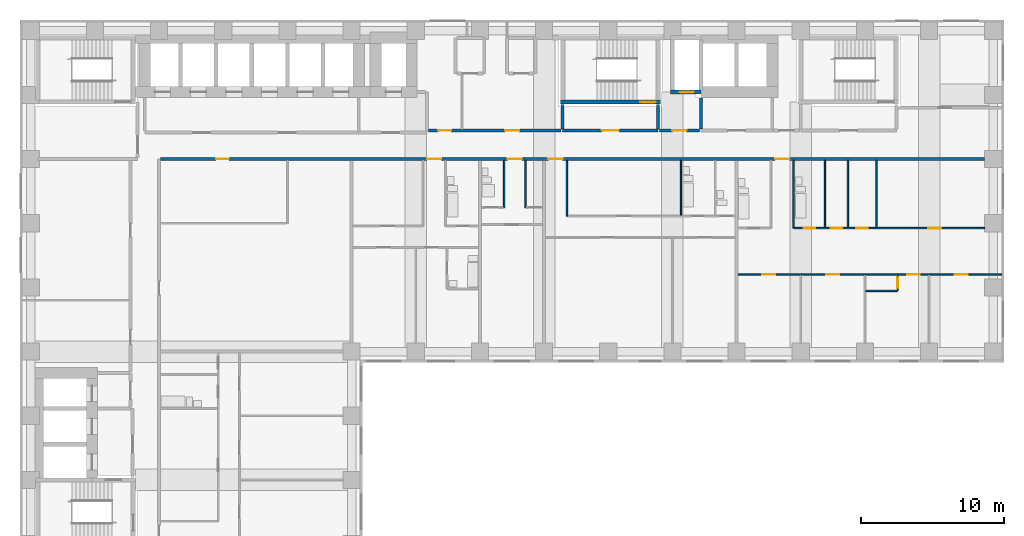
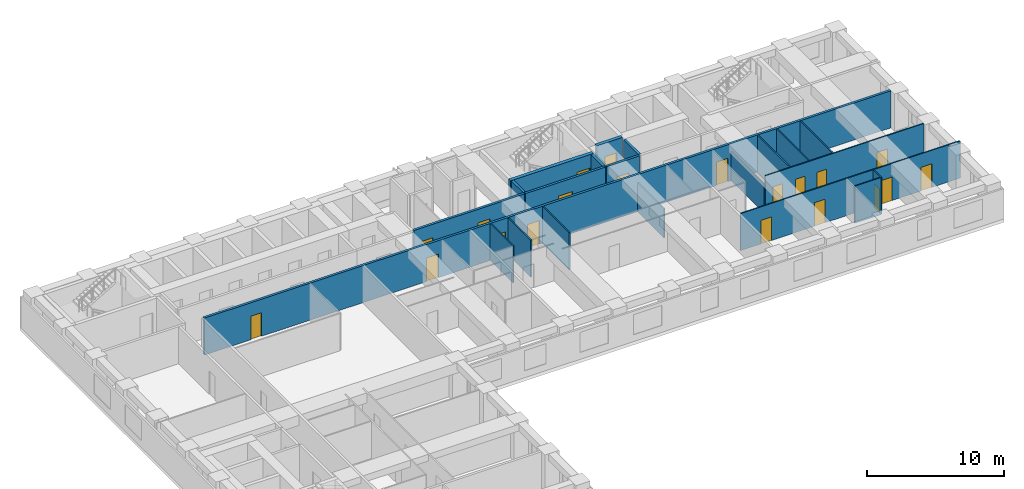
# One storey, part 7 of 11: 21 walls, 20 doors, 20 openings.
"""IFC4 building model written with IfcOpenShell, lengths in metres."""

from ifc_helpers import new_model, si_unit, direction, frame, frame_2d, origin, place, context, subcontext, project, spatial, rectangle, extrude, material, layer, layer_set, type_object, element, fill, save


model = new_model("IFC4")

# Units and contexts
model_context = context("Model", 3, precision=1e-05, world=origin(), true_north=direction((0.0, 1.0)))
body_context = subcontext(model_context, "Body", "Model", "MODEL_VIEW")
ifc_project = project(units=[si_unit("LENGTHUNIT", "METRE"), si_unit("AREAUNIT", "SQUARE_METRE"), si_unit("VOLUMEUNIT", "CUBIC_METRE"), si_unit("PLANEANGLEUNIT", "RADIAN"), si_unit("MASSUNIT", "GRAM", prefix="KILO")], contexts=[model_context])

# Site, building, storey
site_placement = place(None, origin())
site = spatial("IfcSite", under=ifc_project, at=site_placement, CompositionType="ELEMENT")
building_placement = place(site_placement, origin())
building = spatial("IfcBuilding", under=site, at=building_placement, Name="Firuza Court", CompositionType="ELEMENT")
storey_placement = place(building_placement, frame((0.0, 0.0, 79.39990234375)))
storey = spatial("IfcBuildingStorey", under=building, at=storey_placement, Name="L19", CompositionType="ELEMENT", Elevation=79.39990234375)

# Wall
ifc_material_1 = material(Name="Moisture-resistant gypsum board partition")
ifc_layer_1 = layer(ifc_material_1, 0.10009765625)
ifc_layer_set_1 = layer_set([ifc_layer_1], Name="Moisture-resistant gypsum board partition")
wall_type_1 = type_object("IfcWallType", Name="Bathroom partition 100", PredefinedType="PLUMBINGWALL", material=ifc_layer_set_1)
wall_1_placement = place(storey_placement, frame((58.550048828125, 40.25, 0.0), z_axis=(0.0, 0.0, 1.0), x_axis=(1.0, 0.0, 0.0)))
element("IfcWall", 1, at=wall_1_placement, inside=storey, type_object=wall_type_1, Name="Bathroom partition 100 L19", PredefinedType="PLUMBINGWALL", context=body_context, shape_type="SweptSolid", body=[
    extrude(rectangle(XDim=2.199951171875, YDim=0.10009765625, at=frame_2d((1.10009765625, 0.0))), origin(), (0.0, 0.0, 1.0), 3.300048828125),
])

# Wall, opening, door
wall_2_placement = place(storey_placement, frame((60.800048828125, 40.25, 0.0), z_axis=(0.0, 0.0, 1.0), x_axis=(0.0, 1.0, 0.0)))
wall_2 = element("IfcWall", 2, at=wall_2_placement, inside=storey, type_object=wall_type_1, Name="Bathroom partition 100 L19", PredefinedType="PLUMBINGWALL", context=body_context, shape_type="SweptSolid", body=[
    extrude(rectangle(XDim=1.10009765625, YDim=0.10009765625, at=frame_2d((0.550048828125, 0.0))), origin(), (0.0, 0.0, 1.0), 3.300048828125),
])
opening_1_placement = place(wall_2_placement, frame((0.199951171875, 0.0, 0.0)))
opening_1 = element("IfcOpeningElement", 3, at=opening_1_placement, cuts=wall_2, Name="Opening D19043", PredefinedType="OPENING", context=body_context, shape_type="SweptSolid", body=[
    extrude(rectangle(XDim=0.800048828125, YDim=2.10009765625, at=frame_2d((0.39990234375, 1.050048828125))), frame((0.0, 0.06201171875, 0.0), z_axis=(0.0, -1.0, 0.0), x_axis=(1.0, 0.0, 0.0)), (0.0, 0.0, 1.0), 0.1240234375),
])
ifc_material_2 = material(Name="Timber door leaf in hardwood frame", Category="wood")
door_type_1 = type_object("IfcDoorType", Name="Bathroom door 800", OperationType="SINGLE_SWING_LEFT", PredefinedType="DOOR", material=ifc_material_2)
door_1_placement = place(opening_1_placement, origin())
door_1 = element("IfcDoor", 4, at=door_1_placement, inside=storey, type_object=door_type_1, Name="En-suite door", OperationType="SINGLE_SWING_RIGHT", OverallHeight=2.10009765625, OverallWidth=0.800048828125, PredefinedType="DOOR", context=body_context, shape_type="SweptSolid", body=[
    extrude(rectangle(XDim=0.800048828125, YDim=2.10009765625, at=frame_2d((0.39990234375, 1.050048828125))), frame((0.0, 0.02490234375, 0.0), z_axis=(0.0, -1.0, 0.0), x_axis=(1.0, 0.0, 0.0)), (0.0, 0.0, 1.0), 0.050048828125),
])
fill(opening_1, door_1)

# Walls
wall_3_placement = place(storey_placement, frame((53.5, 44.64990234375, 0.0), z_axis=(0.0, 0.0, 1.0), x_axis=(0.0, 1.0, 0.0)))
element("IfcWall", 5, at=wall_3_placement, inside=storey, type_object=wall_type_1, Name="Bathroom partition 100 L19", PredefinedType="PLUMBINGWALL", context=body_context, shape_type="SweptSolid", body=[
    extrude(rectangle(XDim=4.75, YDim=0.10009765625, at=frame_2d((2.375, 0.0))), origin(), (0.0, 0.0, 1.0), 2.60009765625),
])
wall_4_placement = place(storey_placement, frame((55.699951171875, 44.699951171875, 0.0), z_axis=(0.0, 0.0, 1.0), x_axis=(0.0, 1.0, 0.0)))
element("IfcWall", 6, at=wall_4_placement, inside=storey, type_object=wall_type_1, Name="Bathroom partition 100 L19", PredefinedType="PLUMBINGWALL", context=body_context, shape_type="SweptSolid", body=[
    extrude(rectangle(XDim=4.699951171875, YDim=0.10009765625, at=frame_2d((2.35009765625, 0.0))), origin(), (0.0, 0.0, 1.0), 3.300048828125),
])
wall_5_placement = place(storey_placement, frame((45.60009765625, 45.550048828125, 0.0), z_axis=(0.0, 0.0, 1.0), x_axis=(0.0, 1.0, 0.0)))
element("IfcWall", 7, at=wall_5_placement, inside=storey, type_object=wall_type_1, Name="Bathroom partition 100 L19", PredefinedType="PLUMBINGWALL", context=body_context, shape_type="SweptSolid", body=[
    extrude(rectangle(XDim=3.849853515625, YDim=0.10009765625, at=frame_2d((1.9248046875, 0.0))), origin(), (0.0, 0.0, 1.0), 2.60009765625),
])
wall_6_placement = place(storey_placement, frame((33.199951171875, 46.10009765625, 0.0), z_axis=(0.0, 0.0, 1.0), x_axis=(0.0, 1.0, 0.0)))
element("IfcWall", 8, at=wall_6_placement, inside=storey, type_object=wall_type_1, Name="Bathroom partition 100 L19", PredefinedType="PLUMBINGWALL", context=body_context, shape_type="SweptSolid", body=[
    extrude(rectangle(XDim=3.2998046875, YDim=0.10009765625, at=frame_2d((1.64990234375, 0.0))), origin(), (0.0, 0.0, 1.0), 3.300048828125),
])

# Wall, opening, door
ifc_material_3 = material(Name="Concrete C60/75", Category="concrete")
ifc_layer_2 = layer(ifc_material_3, 0.300048828125)
ifc_layer_set_2 = layer_set([ifc_layer_2], Name="Concrete C60/75")
wall_type_2 = type_object("IfcWallType", Name="Core wall 300 C60/75", PredefinedType="SHEAR", material=ifc_layer_set_2)
wall_7_placement = place(storey_placement, frame((37.14990234375, 53.5, -0.2998046875), z_axis=(0.0, 0.0, 1.0), x_axis=(1.0, 0.0, 0.0)))
wall_7 = element("IfcWall", 9, at=wall_7_placement, inside=storey, type_object=wall_type_2, Name="Core wall stair L19", PredefinedType="SHEAR", context=body_context, shape_type="SweptSolid", body=[
    extrude(rectangle(XDim=7.0, YDim=0.300048828125, at=frame_2d((3.5, 0.0))), origin(), (0.0, 0.0, 1.0), 3.599853515625),
])
opening_2_placement = place(wall_7_placement, frame((5.580078125, 0.0, 0.300048828125)))
opening_2 = element("IfcOpeningElement", 10, at=opening_2_placement, cuts=wall_7, Name="Opening D19013", PredefinedType="OPENING", context=body_context, shape_type="SweptSolid", body=[
    extrude(rectangle(XDim=1.10009765625, YDim=2.10009765625, at=frame_2d((0.550048828125, 1.050048828125))), frame((0.0, 0.162109375, 0.0), z_axis=(0.0, -1.0, 0.0), x_axis=(1.0, 0.0, 0.0)), (0.0, 0.0, 1.0), 0.323974609375),
])
ifc_material_4 = material(Name="Timber door leaf in hardwood frame", Category="wood")
door_type_2 = type_object("IfcDoorType", Name="Stair door 1100", OperationType="SINGLE_SWING_LEFT", PredefinedType="DOOR", material=ifc_material_4)
door_2_placement = place(opening_2_placement, origin())
door_2 = element("IfcDoor", 11, at=door_2_placement, inside=storey, type_object=door_type_2, Name="Stair door S1", OperationType="SINGLE_SWING_RIGHT", OverallHeight=2.10009765625, OverallWidth=1.10009765625, PredefinedType="DOOR", context=body_context, shape_type="SweptSolid", body=[
    extrude(rectangle(XDim=1.10009765625, YDim=2.10009765625, at=frame_2d((0.550048828125, 1.050048828125))), frame((0.0, 0.02490234375, 0.0), z_axis=(0.0, -1.0, 0.0), x_axis=(1.0, 0.0, 0.0)), (0.0, 0.0, 1.0), 0.050048828125),
])
fill(opening_2, door_2)

wall_8_placement = place(storey_placement, frame((44.85009765625, 54.199951171875, -0.2998046875), z_axis=(0.0, 0.0, 1.0), x_axis=(1.0, 0.0, 0.0)))
wall_8 = element("IfcWall", 12, at=wall_8_placement, inside=storey, type_object=wall_type_2, Name="Core wall riser L19", PredefinedType="SHEAR", context=body_context, shape_type="SweptSolid", body=[
    extrude(rectangle(XDim=2.14990234375, YDim=0.300048828125, at=frame_2d((1.074951171875, 0.0))), origin(), (0.0, 0.0, 1.0), 3.599853515625),
])
opening_3_placement = place(wall_8_placement, frame((0.64990234375, 0.0, 0.300048828125)))
opening_3 = element("IfcOpeningElement", 13, at=opening_3_placement, cuts=wall_8, Name="Opening D19011", PredefinedType="OPENING", context=body_context, shape_type="SweptSolid", body=[
    extrude(rectangle(XDim=1.0, YDim=2.10009765625, at=frame_2d((0.5, 1.050048828125))), frame((0.0, 0.162109375, 0.0), z_axis=(0.0, -1.0, 0.0), x_axis=(1.0, 0.0, 0.0)), (0.0, 0.0, 1.0), 0.323974609375),
])
ifc_material_5 = material(Name="Timber door leaf in hardwood frame", Category="wood")
door_type_3 = type_object("IfcDoorType", Name="Riser door 1000", OperationType="SINGLE_SWING_LEFT", PredefinedType="DOOR", material=ifc_material_5)
door_3_placement = place(opening_3_placement, origin())
door_3 = element("IfcDoor", 14, at=door_3_placement, inside=storey, type_object=door_type_3, Name="Riser door R3", OperationType="SINGLE_SWING_LEFT", OverallHeight=2.10009765625, OverallWidth=1.0, PredefinedType="DOOR", context=body_context, shape_type="SweptSolid", body=[
    extrude(rectangle(XDim=1.0, YDim=2.10009765625, at=frame_2d((0.5, 1.050048828125))), frame((0.0, 0.02490234375, 0.0), z_axis=(0.0, -1.0, 0.0), x_axis=(1.0, 0.0, 0.0)), (0.0, 0.0, 1.0), 0.050048828125),
])
fill(opening_3, door_3)

# Wall, openings, doors
ifc_material_6 = material(Name="Blockwork, plastered both sides", Category="masonry")
ifc_layer_3 = layer(ifc_material_6, 0.199951171875)
ifc_layer_set_3 = layer_set([ifc_layer_3], Name="Blockwork, plastered both sides")
wall_type_3 = type_object("IfcWallType", Name="Corridor wall 200", PredefinedType="PARTITIONING", material=ifc_layer_set_3)
wall_9_placement = place(storey_placement, frame((9.10009765625, 49.5, 0.0), z_axis=(0.0, 0.0, 1.0), x_axis=(1.0, 0.0, 0.0)))
wall_9 = element("IfcWall", 15, at=wall_9_placement, inside=storey, type_object=wall_type_3, Name="Corridor wall 200 L19", PredefinedType="PARTITIONING", context=body_context, shape_type="SweptSolid", body=[
    extrude(rectangle(XDim=57.7998046875, YDim=0.199951171875, at=frame_2d((28.89990234375, 0.0))), origin(), (0.0, 0.0, 1.0), 3.300048828125),
])
opening_4_placement = place(wall_9_placement, frame((18.699951171875, 0.0, 0.0)))
opening_4 = element("IfcOpeningElement", 16, at=opening_4_placement, cuts=wall_9, Name="Opening D19066", PredefinedType="OPENING", context=body_context, shape_type="SweptSolid", body=[
    extrude(rectangle(XDim=1.0, YDim=2.10009765625, at=frame_2d((0.5, 1.050048828125))), frame((0.0, 0.11181640625, 0.0), z_axis=(0.0, -1.0, 0.0), x_axis=(1.0, 0.0, 0.0)), (0.0, 0.0, 1.0), 0.223876953125),
])
opening_5_placement = place(wall_9_placement, frame((24.35009765625, 0.0, 0.0)))
opening_5 = element("IfcOpeningElement", 17, at=opening_5_placement, cuts=wall_9, Name="Opening D19067", PredefinedType="OPENING", context=body_context, shape_type="SweptSolid", body=[
    extrude(rectangle(XDim=1.0, YDim=2.10009765625, at=frame_2d((0.5, 1.050048828125))), frame((0.0, 0.11181640625, 0.0), z_axis=(0.0, -1.0, 0.0), x_axis=(1.0, 0.0, 0.0)), (0.0, 0.0, 1.0), 0.223876953125),
])
opening_6_placement = place(wall_9_placement, frame((27.199951171875, 0.0, 0.0)))
opening_6 = element("IfcOpeningElement", 18, at=opening_6_placement, cuts=wall_9, Name="Opening D19068", PredefinedType="OPENING", context=body_context, shape_type="SweptSolid", body=[
    extrude(rectangle(XDim=1.0, YDim=2.10009765625, at=frame_2d((0.5, 1.050048828125))), frame((0.0, 0.11181640625, 0.0), z_axis=(0.0, -1.0, 0.0), x_axis=(1.0, 0.0, 0.0)), (0.0, 0.0, 1.0), 0.223876953125),
])
opening_7_placement = place(wall_9_placement, frame((43.10009765625, 0.0, 0.0)))
opening_7 = element("IfcOpeningElement", 19, at=opening_7_placement, cuts=wall_9, Name="Opening D19069", PredefinedType="OPENING", context=body_context, shape_type="SweptSolid", body=[
    extrude(rectangle(XDim=1.0, YDim=2.10009765625, at=frame_2d((0.5, 1.050048828125))), frame((0.0, 0.11181640625, 0.0), z_axis=(0.0, -1.0, 0.0), x_axis=(1.0, 0.0, 0.0)), (0.0, 0.0, 1.0), 0.223876953125),
])
opening_8_placement = place(wall_9_placement, frame((3.89990234375, 0.0, 0.0)))
opening_8 = element("IfcOpeningElement", 20, at=opening_8_placement, cuts=wall_9, Name="Opening D19070", PredefinedType="OPENING", context=body_context, shape_type="SweptSolid", body=[
    extrude(rectangle(XDim=0.89990234375, YDim=2.10009765625, at=frame_2d((0.449951171875, 1.050048828125))), frame((0.0, 0.11181640625, 0.0), z_axis=(0.0, -1.0, 0.0), x_axis=(1.0, 0.0, 0.0)), (0.0, 0.0, 1.0), 0.223876953125),
])
ifc_material_7 = material(Name="Timber door leaf in hardwood frame", Category="wood")
door_type_4 = type_object("IfcDoorType", Name="Flat entrance door 1000", OperationType="SINGLE_SWING_LEFT", PredefinedType="DOOR", material=ifc_material_7)
door_4_placement = place(opening_4_placement, origin())
door_4 = element("IfcDoor", 21, at=door_4_placement, inside=storey, type_object=door_type_4, Name="Flat entrance door", OperationType="SINGLE_SWING_LEFT", OverallHeight=2.10009765625, OverallWidth=1.0, PredefinedType="DOOR", context=body_context, shape_type="SweptSolid", body=[
    extrude(rectangle(XDim=1.0, YDim=2.10009765625, at=frame_2d((0.5, 1.050048828125))), frame((0.0, 0.02490234375, 0.0), z_axis=(0.0, -1.0, 0.0), x_axis=(1.0, 0.0, 0.0)), (0.0, 0.0, 1.0), 0.050048828125),
])
fill(opening_4, door_4)
door_5_placement = place(opening_5_placement, origin())
door_5 = element("IfcDoor", 22, at=door_5_placement, inside=storey, type_object=door_type_4, Name="Flat entrance door", OperationType="SINGLE_SWING_LEFT", OverallHeight=2.10009765625, OverallWidth=1.0, PredefinedType="DOOR", context=body_context, shape_type="SweptSolid", body=[
    extrude(rectangle(XDim=1.0, YDim=2.10009765625, at=frame_2d((0.5, 1.050048828125))), frame((0.0, 0.02490234375, 0.0), z_axis=(0.0, -1.0, 0.0), x_axis=(1.0, 0.0, 0.0)), (0.0, 0.0, 1.0), 0.050048828125),
])
fill(opening_5, door_5)
door_6_placement = place(opening_6_placement, origin())
door_6 = element("IfcDoor", 23, at=door_6_placement, inside=storey, type_object=door_type_4, Name="Flat entrance door", OperationType="SINGLE_SWING_LEFT", OverallHeight=2.10009765625, OverallWidth=1.0, PredefinedType="DOOR", context=body_context, shape_type="SweptSolid", body=[
    extrude(rectangle(XDim=1.0, YDim=2.10009765625, at=frame_2d((0.5, 1.050048828125))), frame((0.0, 0.02490234375, 0.0), z_axis=(0.0, -1.0, 0.0), x_axis=(1.0, 0.0, 0.0)), (0.0, 0.0, 1.0), 0.050048828125),
])
fill(opening_6, door_6)
door_7_placement = place(opening_7_placement, origin())
door_7 = element("IfcDoor", 24, at=door_7_placement, inside=storey, type_object=door_type_4, Name="Flat entrance door", OperationType="SINGLE_SWING_LEFT", OverallHeight=2.10009765625, OverallWidth=1.0, PredefinedType="DOOR", context=body_context, shape_type="SweptSolid", body=[
    extrude(rectangle(XDim=1.0, YDim=2.10009765625, at=frame_2d((0.5, 1.050048828125))), frame((0.0, 0.02490234375, 0.0), z_axis=(0.0, -1.0, 0.0), x_axis=(1.0, 0.0, 0.0)), (0.0, 0.0, 1.0), 0.050048828125),
])
fill(opening_7, door_7)
ifc_material_8 = material(Name="Timber door leaf in hardwood frame", Category="wood")
door_type_5 = type_object("IfcDoorType", Name="Room door 900 EI 30", OperationType="SINGLE_SWING_LEFT", PredefinedType="DOOR", material=ifc_material_8)
door_8_placement = place(opening_8_placement, origin())
door_8 = element("IfcDoor", 25, at=door_8_placement, inside=storey, type_object=door_type_5, Name="Cinema room door", OperationType="SINGLE_SWING_LEFT", OverallHeight=2.10009765625, OverallWidth=0.89990234375, PredefinedType="DOOR", context=body_context, shape_type="SweptSolid", body=[
    extrude(rectangle(XDim=0.89990234375, YDim=2.10009765625, at=frame_2d((0.449951171875, 1.050048828125))), frame((0.0, 0.02490234375, 0.0), z_axis=(0.0, -1.0, 0.0), x_axis=(1.0, 0.0, 0.0)), (0.0, 0.0, 1.0), 0.050048828125),
])
fill(opening_8, door_8)

wall_10_placement = place(storey_placement, frame((27.89990234375, 51.5, 0.0), z_axis=(0.0, 0.0, 1.0), x_axis=(1.0, 0.0, 0.0)))
wall_10 = element("IfcWall", 26, at=wall_10_placement, inside=storey, type_object=wall_type_3, Name="Corridor wall 200 L19", PredefinedType="PARTITIONING", context=body_context, shape_type="SweptSolid", body=[
    extrude(rectangle(XDim=9.300048828125, YDim=0.199951171875, at=frame_2d((4.64990234375, 0.0))), origin(), (0.0, 0.0, 1.0), 3.300048828125),
])
opening_9_placement = place(wall_10_placement, frame((0.675048828125, 0.0, 0.0)))
opening_9 = element("IfcOpeningElement", 27, at=opening_9_placement, cuts=wall_10, Name="Opening D19071", PredefinedType="OPENING", context=body_context, shape_type="SweptSolid", body=[
    extrude(rectangle(XDim=0.89990234375, YDim=2.10009765625, at=frame_2d((0.449951171875, 1.050048828125))), frame((0.0, 0.11181640625, 0.0), z_axis=(0.0, -1.0, 0.0), x_axis=(1.0, 0.0, 0.0)), (0.0, 0.0, 1.0), 0.223876953125),
])
opening_10_placement = place(wall_10_placement, frame((5.375, 0.0, 0.0)))
opening_10 = element("IfcOpeningElement", 28, at=opening_10_placement, cuts=wall_10, Name="Opening D19072", PredefinedType="OPENING", context=body_context, shape_type="SweptSolid", body=[
    extrude(rectangle(XDim=1.0, YDim=2.10009765625, at=frame_2d((0.5, 1.050048828125))), frame((0.0, 0.11181640625, 0.0), z_axis=(0.0, -1.0, 0.0), x_axis=(1.0, 0.0, 0.0)), (0.0, 0.0, 1.0), 0.223876953125),
])
door_9_placement = place(opening_9_placement, origin())
door_9 = element("IfcDoor", 29, at=door_9_placement, inside=storey, type_object=door_type_5, Name="Meeting room door", OperationType="SINGLE_SWING_LEFT", OverallHeight=2.10009765625, OverallWidth=0.89990234375, PredefinedType="DOOR", context=body_context, shape_type="SweptSolid", body=[
    extrude(rectangle(XDim=0.89990234375, YDim=2.10009765625, at=frame_2d((0.449951171875, 1.050048828125))), frame((0.0, 0.02490234375, 0.0), z_axis=(0.0, -1.0, 0.0), x_axis=(1.0, 0.0, 0.0)), (0.0, 0.0, 1.0), 0.050048828125),
])
fill(opening_9, door_9)
ifc_material_9 = material(Name="Timber door leaf in hardwood frame", Category="wood")
door_type_6 = type_object("IfcDoorType", Name="Store door 1000", OperationType="SINGLE_SWING_LEFT", PredefinedType="DOOR", material=ifc_material_9)
door_10_placement = place(opening_10_placement, origin())
door_10 = element("IfcDoor", 30, at=door_10_placement, inside=storey, type_object=door_type_6, Name="Electrical room door", OperationType="SINGLE_SWING_LEFT", OverallHeight=2.10009765625, OverallWidth=1.0, PredefinedType="DOOR", context=body_context, shape_type="SweptSolid", body=[
    extrude(rectangle(XDim=1.0, YDim=2.10009765625, at=frame_2d((0.5, 1.050048828125))), frame((0.0, 0.02490234375, 0.0), z_axis=(0.0, -1.0, 0.0), x_axis=(1.0, 0.0, 0.0)), (0.0, 0.0, 1.0), 0.050048828125),
])
fill(opening_10, door_10)

# Wall, opening, door
wall_11_placement = place(storey_placement, frame((44.10009765625, 51.5, 0.0), z_axis=(0.0, 0.0, 1.0), x_axis=(1.0, 0.0, 0.0)))
wall_11 = element("IfcWall", 31, at=wall_11_placement, inside=storey, type_object=wall_type_3, Name="Corridor wall 200 L19", PredefinedType="PARTITIONING", context=body_context, shape_type="SweptSolid", body=[
    extrude(rectangle(XDim=2.7998046875, YDim=0.199951171875, at=frame_2d((1.39990234375, 0.0))), origin(), (0.0, 0.0, 1.0), 3.300048828125),
])
opening_11_placement = place(wall_11_placement, frame((0.89990234375, 0.0, 0.0)))
opening_11 = element("IfcOpeningElement", 32, at=opening_11_placement, cuts=wall_11, Name="Opening D19073", PredefinedType="OPENING", context=body_context, shape_type="SweptSolid", body=[
    extrude(rectangle(XDim=1.0, YDim=2.10009765625, at=frame_2d((0.5, 1.050048828125))), frame((0.0, 0.11181640625, 0.0), z_axis=(0.0, -1.0, 0.0), x_axis=(1.0, 0.0, 0.0)), (0.0, 0.0, 1.0), 0.223876953125),
])
door_11_placement = place(opening_11_placement, origin())
door_11 = element("IfcDoor", 33, at=door_11_placement, inside=storey, type_object=door_type_6, Name="Cleaner's store door", OperationType="SINGLE_SWING_LEFT", OverallHeight=2.10009765625, OverallWidth=1.0, PredefinedType="DOOR", context=body_context, shape_type="SweptSolid", body=[
    extrude(rectangle(XDim=1.0, YDim=2.10009765625, at=frame_2d((0.5, 1.050048828125))), frame((0.0, 0.02490234375, 0.0), z_axis=(0.0, -1.0, 0.0), x_axis=(1.0, 0.0, 0.0)), (0.0, 0.0, 1.0), 0.050048828125),
])
fill(opening_11, door_11)

# Wall, openings, doors
ifc_material_10 = material(Name="Timber stud partition, plasterboard both sides", Category="wood")
ifc_layer_4 = layer(ifc_material_10, 0.10009765625)
ifc_layer_set_4 = layer_set([ifc_layer_4], Name="Timber stud partition, plasterboard both sides")
wall_type_4 = type_object("IfcWallType", Name="Partition wall 100", PredefinedType="PARTITIONING", material=ifc_layer_set_4)
wall_12_placement = place(storey_placement, frame((49.60009765625, 41.39990234375, 0.0), z_axis=(0.0, 0.0, 1.0), x_axis=(1.0, 0.0, 0.0)))
wall_12 = element("IfcWall", 34, at=wall_12_placement, inside=storey, type_object=wall_type_4, Name="Partition wall 100 L19", PredefinedType="PARTITIONING", context=body_context, shape_type="SweptSolid", body=[
    extrude(rectangle(XDim=18.5, YDim=0.10009765625, at=frame_2d((9.25, 0.0))), origin(), (0.0, 0.0, 1.0), 3.300048828125),
])
opening_12_placement = place(wall_12_placement, frame((1.699951171875, 0.0, 0.0)))
opening_12 = element("IfcOpeningElement", 35, at=opening_12_placement, cuts=wall_12, Name="Opening D19045", PredefinedType="OPENING", context=body_context, shape_type="SweptSolid", body=[
    extrude(rectangle(XDim=0.89990234375, YDim=2.10009765625, at=frame_2d((0.449951171875, 1.050048828125))), frame((0.0, 0.06201171875, 0.0), z_axis=(0.0, -1.0, 0.0), x_axis=(1.0, 0.0, 0.0)), (0.0, 0.0, 1.0), 0.1240234375),
])
opening_13_placement = place(wall_12_placement, frame((6.199951171875, 0.0, 0.0)))
opening_13 = element("IfcOpeningElement", 36, at=opening_13_placement, cuts=wall_12, Name="Opening D19046", PredefinedType="OPENING", context=body_context, shape_type="SweptSolid", body=[
    extrude(rectangle(XDim=0.89990234375, YDim=2.10009765625, at=frame_2d((0.449951171875, 1.050048828125))), frame((0.0, 0.06201171875, 0.0), z_axis=(0.0, -1.0, 0.0), x_axis=(1.0, 0.0, 0.0)), (0.0, 0.0, 1.0), 0.1240234375),
])
opening_14_placement = place(wall_12_placement, frame((11.85009765625, 0.0, 0.0)))
opening_14 = element("IfcOpeningElement", 37, at=opening_14_placement, cuts=wall_12, Name="Opening D19047", PredefinedType="OPENING", context=body_context, shape_type="SweptSolid", body=[
    extrude(rectangle(XDim=0.89990234375, YDim=2.10009765625, at=frame_2d((0.449951171875, 1.050048828125))), frame((0.0, 0.06201171875, 0.0), z_axis=(0.0, -1.0, 0.0), x_axis=(1.0, 0.0, 0.0)), (0.0, 0.0, 1.0), 0.1240234375),
])
opening_15_placement = place(wall_12_placement, frame((15.199951171875, 0.0, 0.0)))
opening_15 = element("IfcOpeningElement", 38, at=opening_15_placement, cuts=wall_12, Name="Opening D19048", PredefinedType="OPENING", context=body_context, shape_type="SweptSolid", body=[
    extrude(rectangle(XDim=0.89990234375, YDim=2.10009765625, at=frame_2d((0.449951171875, 1.050048828125))), frame((0.0, 0.06201171875, 0.0), z_axis=(0.0, -1.0, 0.0), x_axis=(1.0, 0.0, 0.0)), (0.0, 0.0, 1.0), 0.1240234375),
])
ifc_material_11 = material(Name="Timber door leaf in hardwood frame", Category="wood")
door_type_7 = type_object("IfcDoorType", Name="Room door 900", OperationType="SINGLE_SWING_LEFT", PredefinedType="DOOR", material=ifc_material_11)
door_12_placement = place(opening_12_placement, frame((0.89990234375, 0.0, 0.0), z_axis=(0.0, 0.0, 1.0), x_axis=(-1.0, 0.0, 0.0)))
door_12 = element("IfcDoor", 39, at=door_12_placement, inside=storey, type_object=door_type_7, Name="Bedroom door", OperationType="SINGLE_SWING_RIGHT", OverallHeight=2.10009765625, OverallWidth=0.89990234375, PredefinedType="DOOR", context=body_context, shape_type="SweptSolid", body=[
    extrude(rectangle(XDim=0.89990234375, YDim=2.10009765625, at=frame_2d((0.449951171875, 1.050048828125))), frame((0.0, 0.02490234375, 0.0), z_axis=(0.0, -1.0, 0.0), x_axis=(1.0, 0.0, 0.0)), (0.0, 0.0, 1.0), 0.050048828125),
])
fill(opening_12, door_12)
door_13_placement = place(opening_13_placement, frame((0.89990234375, 0.0, 0.0), z_axis=(0.0, 0.0, 1.0), x_axis=(-1.0, 0.0, 0.0)))
door_13 = element("IfcDoor", 40, at=door_13_placement, inside=storey, type_object=door_type_7, Name="Living room door", OperationType="SINGLE_SWING_RIGHT", OverallHeight=2.10009765625, OverallWidth=0.89990234375, PredefinedType="DOOR", context=body_context, shape_type="SweptSolid", body=[
    extrude(rectangle(XDim=0.89990234375, YDim=2.10009765625, at=frame_2d((0.449951171875, 1.050048828125))), frame((0.0, 0.02490234375, 0.0), z_axis=(0.0, -1.0, 0.0), x_axis=(1.0, 0.0, 0.0)), (0.0, 0.0, 1.0), 0.050048828125),
])
fill(opening_13, door_13)
door_14_placement = place(opening_14_placement, frame((0.89990234375, 0.0, 0.0), z_axis=(0.0, 0.0, 1.0), x_axis=(-1.0, 0.0, 0.0)))
door_14 = element("IfcDoor", 41, at=door_14_placement, inside=storey, type_object=door_type_7, Name="Bedroom door", OperationType="SINGLE_SWING_RIGHT", OverallHeight=2.10009765625, OverallWidth=0.89990234375, PredefinedType="DOOR", context=body_context, shape_type="SweptSolid", body=[
    extrude(rectangle(XDim=0.89990234375, YDim=2.10009765625, at=frame_2d((0.449951171875, 1.050048828125))), frame((0.0, 0.02490234375, 0.0), z_axis=(0.0, -1.0, 0.0), x_axis=(1.0, 0.0, 0.0)), (0.0, 0.0, 1.0), 0.050048828125),
])
fill(opening_14, door_14)
door_15_placement = place(opening_15_placement, frame((0.89990234375, 0.0, 0.0), z_axis=(0.0, 0.0, 1.0), x_axis=(-1.0, 0.0, 0.0)))
door_15 = element("IfcDoor", 42, at=door_15_placement, inside=storey, type_object=door_type_7, Name="Bedroom door", OperationType="SINGLE_SWING_RIGHT", OverallHeight=2.10009765625, OverallWidth=0.89990234375, PredefinedType="DOOR", context=body_context, shape_type="SweptSolid", body=[
    extrude(rectangle(XDim=0.89990234375, YDim=2.10009765625, at=frame_2d((0.449951171875, 1.050048828125))), frame((0.0, 0.02490234375, 0.0), z_axis=(0.0, -1.0, 0.0), x_axis=(1.0, 0.0, 0.0)), (0.0, 0.0, 1.0), 0.050048828125),
])
fill(opening_15, door_15)

wall_13_placement = place(storey_placement, frame((53.550048828125, 44.64990234375, 0.0), z_axis=(0.0, 0.0, 1.0), x_axis=(1.0, 0.0, 0.0)))
wall_13 = element("IfcWall", 43, at=wall_13_placement, inside=storey, type_object=wall_type_4, Name="Partition wall 100 L19", PredefinedType="PARTITIONING", context=body_context, shape_type="SweptSolid", body=[
    extrude(rectangle(XDim=13.349853515625, YDim=0.10009765625, at=frame_2d((6.6748046875, 0.0))), origin(), (0.0, 0.0, 1.0), 3.300048828125),
])
opening_16_placement = place(wall_13_placement, frame((0.64990234375, 0.0, 0.0)))
opening_16 = element("IfcOpeningElement", 44, at=opening_16_placement, cuts=wall_13, Name="Opening D19054", PredefinedType="OPENING", context=body_context, shape_type="SweptSolid", body=[
    extrude(rectangle(XDim=0.800048828125, YDim=2.10009765625, at=frame_2d((0.39990234375, 1.050048828125))), frame((0.0, 0.06201171875, 0.0), z_axis=(0.0, -1.0, 0.0), x_axis=(1.0, 0.0, 0.0)), (0.0, 0.0, 1.0), 0.1240234375),
])
opening_17_placement = place(wall_13_placement, frame((9.39990234375, 0.0, 0.0)))
opening_17 = element("IfcOpeningElement", 45, at=opening_17_placement, cuts=wall_13, Name="Opening D19055", PredefinedType="OPENING", context=body_context, shape_type="SweptSolid", body=[
    extrude(rectangle(XDim=0.89990234375, YDim=2.10009765625, at=frame_2d((0.449951171875, 1.050048828125))), frame((0.0, 0.06201171875, 0.0), z_axis=(0.0, -1.0, 0.0), x_axis=(1.0, 0.0, 0.0)), (0.0, 0.0, 1.0), 0.1240234375),
])
opening_18_placement = place(wall_13_placement, frame((2.550048828125, 0.0, 0.0)))
opening_18 = element("IfcOpeningElement", 46, at=opening_18_placement, cuts=wall_13, Name="Opening D19056", PredefinedType="OPENING", context=body_context, shape_type="SweptSolid", body=[
    extrude(rectangle(XDim=0.800048828125, YDim=2.10009765625, at=frame_2d((0.39990234375, 1.050048828125))), frame((0.0, 0.06201171875, 0.0), z_axis=(0.0, -1.0, 0.0), x_axis=(1.0, 0.0, 0.0)), (0.0, 0.0, 1.0), 0.1240234375),
])
opening_19_placement = place(wall_13_placement, frame((4.35009765625, 0.0, 0.0)))
opening_19 = element("IfcOpeningElement", 47, at=opening_19_placement, cuts=wall_13, Name="Opening D19057", PredefinedType="OPENING", context=body_context, shape_type="SweptSolid", body=[
    extrude(rectangle(XDim=0.800048828125, YDim=2.10009765625, at=frame_2d((0.39990234375, 1.050048828125))), frame((0.0, 0.06201171875, 0.0), z_axis=(0.0, -1.0, 0.0), x_axis=(1.0, 0.0, 0.0)), (0.0, 0.0, 1.0), 0.1240234375),
])
door_16_placement = place(opening_16_placement, origin())
door_16 = element("IfcDoor", 48, at=door_16_placement, inside=storey, type_object=door_type_1, Name="Bathroom 2 door", OperationType="SINGLE_SWING_LEFT", OverallHeight=2.10009765625, OverallWidth=0.800048828125, PredefinedType="DOOR", context=body_context, shape_type="SweptSolid", body=[
    extrude(rectangle(XDim=0.800048828125, YDim=2.10009765625, at=frame_2d((0.39990234375, 1.050048828125))), frame((0.0, 0.02490234375, 0.0), z_axis=(0.0, -1.0, 0.0), x_axis=(1.0, 0.0, 0.0)), (0.0, 0.0, 1.0), 0.050048828125),
])
fill(opening_16, door_16)
ifc_material_12 = material(Name="Timber door leaf in hardwood frame", Category="wood")
door_type_8 = type_object("IfcDoorType", Name="Room door 800", OperationType="SINGLE_SWING_LEFT", PredefinedType="DOOR", material=ifc_material_12)
door_17_placement = place(opening_18_placement, origin())
door_17 = element("IfcDoor", 49, at=door_17_placement, inside=storey, type_object=door_type_8, Name="Store door", OperationType="SINGLE_SWING_LEFT", OverallHeight=2.10009765625, OverallWidth=0.800048828125, PredefinedType="DOOR", context=body_context, shape_type="SweptSolid", body=[
    extrude(rectangle(XDim=0.800048828125, YDim=2.10009765625, at=frame_2d((0.39990234375, 1.050048828125))), frame((0.0, 0.02490234375, 0.0), z_axis=(0.0, -1.0, 0.0), x_axis=(1.0, 0.0, 0.0)), (0.0, 0.0, 1.0), 0.050048828125),
])
fill(opening_18, door_17)
door_18_placement = place(opening_19_placement, origin())
door_18 = element("IfcDoor", 50, at=door_18_placement, inside=storey, type_object=door_type_8, Name="Utility room door", OperationType="SINGLE_SWING_LEFT", OverallHeight=2.10009765625, OverallWidth=0.800048828125, PredefinedType="DOOR", context=body_context, shape_type="SweptSolid", body=[
    extrude(rectangle(XDim=0.800048828125, YDim=2.10009765625, at=frame_2d((0.39990234375, 1.050048828125))), frame((0.0, 0.02490234375, 0.0), z_axis=(0.0, -1.0, 0.0), x_axis=(1.0, 0.0, 0.0)), (0.0, 0.0, 1.0), 0.050048828125),
])
fill(opening_19, door_18)
door_19_placement = place(opening_17_placement, origin())
door_19 = element("IfcDoor", 51, at=door_19_placement, inside=storey, type_object=door_type_7, Name="Kitchen door", OperationType="SINGLE_SWING_RIGHT", OverallHeight=2.10009765625, OverallWidth=0.89990234375, PredefinedType="DOOR", context=body_context, shape_type="SweptSolid", body=[
    extrude(rectangle(XDim=0.89990234375, YDim=2.10009765625, at=frame_2d((0.449951171875, 1.050048828125))), frame((0.0, 0.02490234375, 0.0), z_axis=(0.0, -1.0, 0.0), x_axis=(1.0, 0.0, 0.0)), (0.0, 0.0, 1.0), 0.050048828125),
])
fill(opening_17, door_19)

# Walls
for number, where, z_axis, x_axis, name in (
    (52, (57.300048828125, 44.699951171875, 0.0), (0.0, 0.0, 1.0), (0.0, 1.0, 0.0), "Partition wall 100 L19"),
    (53, (59.300048828125, 44.699951171875, 0.0), (0.0, 0.0, 1.0), (0.0, 1.0, 0.0), "Partition wall 100 L19"),
):
    element("IfcWall", number, at=place(storey_placement, frame(where, z_axis=z_axis, x_axis=x_axis)), inside=storey, type_object=wall_type_4, Name=name, PredefinedType="PARTITIONING", context=body_context, shape_type="SweptSolid", body=[
        extrude(rectangle(XDim=4.699951171875, YDim=0.10009765625, at=frame_2d((2.35009765625, 0.0))), origin(), (0.0, 0.0, 1.0), 3.300048828125),
    ])
wall_14_placement = place(storey_placement, frame((37.60009765625, 45.5, 0.0), z_axis=(0.0, 0.0, 1.0), x_axis=(0.0, 1.0, 0.0)))
element("IfcWall", 54, at=wall_14_placement, inside=storey, type_object=wall_type_4, Name="Partition wall 100 L19", PredefinedType="PARTITIONING", context=body_context, shape_type="SweptSolid", body=[
    extrude(rectangle(XDim=3.89990234375, YDim=0.10009765625, at=frame_2d((1.949951171875, 0.0))), origin(), (0.0, 0.0, 1.0), 3.300048828125),
])
wall_15_placement = place(storey_placement, frame((34.699951171875, 46.10009765625, 0.0), z_axis=(0.0, 0.0, 1.0), x_axis=(0.0, 1.0, 0.0)))
element("IfcWall", 55, at=wall_15_placement, inside=storey, type_object=wall_type_4, Name="Partition wall 100 L19", PredefinedType="PARTITIONING", context=body_context, shape_type="SweptSolid", body=[
    extrude(rectangle(XDim=3.2998046875, YDim=0.10009765625, at=frame_2d((1.64990234375, 0.0))), origin(), (0.0, 0.0, 1.0), 3.300048828125),
])
ifc_material_13 = material(Name="Blockwork, fire-rated", Category="masonry")
ifc_layer_5 = layer(ifc_material_13, 0.199951171875)
ifc_layer_set_5 = layer_set([ifc_layer_5], Name="Blockwork, fire-rated")
wall_type_5 = type_object("IfcWallType", Name="Shaft wall 200", PredefinedType="PARTITIONING", material=ifc_layer_set_5)
wall_16_placement = place(storey_placement, frame((47.0, 51.60009765625, 0.0), z_axis=(0.0, 0.0, 1.0), x_axis=(0.0, 1.0, 0.0)))
element("IfcWall", 56, at=wall_16_placement, inside=storey, type_object=wall_type_5, Name="Shaft wall 200 L19", PredefinedType="PARTITIONING", context=body_context, shape_type="SweptSolid", body=[
    extrude(rectangle(XDim=2.179931640625, YDim=0.199951171875, at=frame_2d((1.08984375, 0.0))), origin(), (0.0, 0.0, 1.0), 3.300048828125),
])

# Wall, opening, door
wall_17_placement = place(storey_placement, frame((37.300048828125, 51.5, 0.0), z_axis=(0.0, 0.0, 1.0), x_axis=(1.0, 0.0, 0.0)))
wall_17 = element("IfcWall", 57, at=wall_17_placement, inside=storey, type_object=wall_type_5, Name="Shaft wall 200 L19", PredefinedType="PARTITIONING", context=body_context, shape_type="SweptSolid", body=[
    extrude(rectangle(XDim=6.699951171875, YDim=0.199951171875, at=frame_2d((3.35009765625, 0.0))), origin(), (0.0, 0.0, 1.0), 3.300048828125),
])
opening_20_placement = place(wall_17_placement, frame((2.75, 0.0, 0.0)))
opening_20 = element("IfcOpeningElement", 58, at=opening_20_placement, cuts=wall_17, Name="Opening D19006", PredefinedType="OPENING", context=body_context, shape_type="SweptSolid", body=[
    extrude(rectangle(XDim=1.199951171875, YDim=2.10009765625, at=frame_2d((0.60009765625, 1.050048828125))), frame((0.0, 0.11181640625, 0.0), z_axis=(0.0, -1.0, 0.0), x_axis=(1.0, 0.0, 0.0)), (0.0, 0.0, 1.0), 0.223876953125),
])
ifc_material_14 = material(Name="Timber door leaf in hardwood frame", Category="wood")
door_type_9 = type_object("IfcDoorType", Name="Lobby door 1200", OperationType="SINGLE_SWING_LEFT", PredefinedType="DOOR", material=ifc_material_14)
door_20_placement = place(opening_20_placement, origin())
door_20 = element("IfcDoor", 59, at=door_20_placement, inside=storey, type_object=door_type_9, Name="Lobby door", OperationType="SINGLE_SWING_LEFT", OverallHeight=2.10009765625, OverallWidth=1.199951171875, PredefinedType="DOOR", context=body_context, shape_type="SweptSolid", body=[
    extrude(rectangle(XDim=1.199951171875, YDim=2.10009765625, at=frame_2d((0.60009765625, 1.050048828125))), frame((0.0, 0.02490234375, 0.0), z_axis=(0.0, -1.0, 0.0), x_axis=(1.0, 0.0, 0.0)), (0.0, 0.0, 1.0), 0.050048828125),
])
fill(opening_20, door_20)

# Walls
for number, where, z_axis, x_axis, name in (
    (60, (44.0, 51.60009765625, 0.0), (0.0, 0.0, 1.0), (0.0, 1.0, 0.0), "Shaft wall 200 L19"),
    (61, (37.300048828125, 51.60009765625, 0.0), (0.0, 0.0, 1.0), (0.0, 1.0, 0.0), "Shaft wall 200 L19"),
):
    element("IfcWall", number, at=place(storey_placement, frame(where, z_axis=z_axis, x_axis=x_axis)), inside=storey, type_object=wall_type_5, Name=name, PredefinedType="PARTITIONING", context=body_context, shape_type="SweptSolid", body=[
        extrude(rectangle(XDim=1.72998046875, YDim=0.199951171875, at=frame_2d((0.864990234375, 0.0))), origin(), (0.0, 0.0, 1.0), 3.300048828125),
    ])

save(model, "model.ifc")
